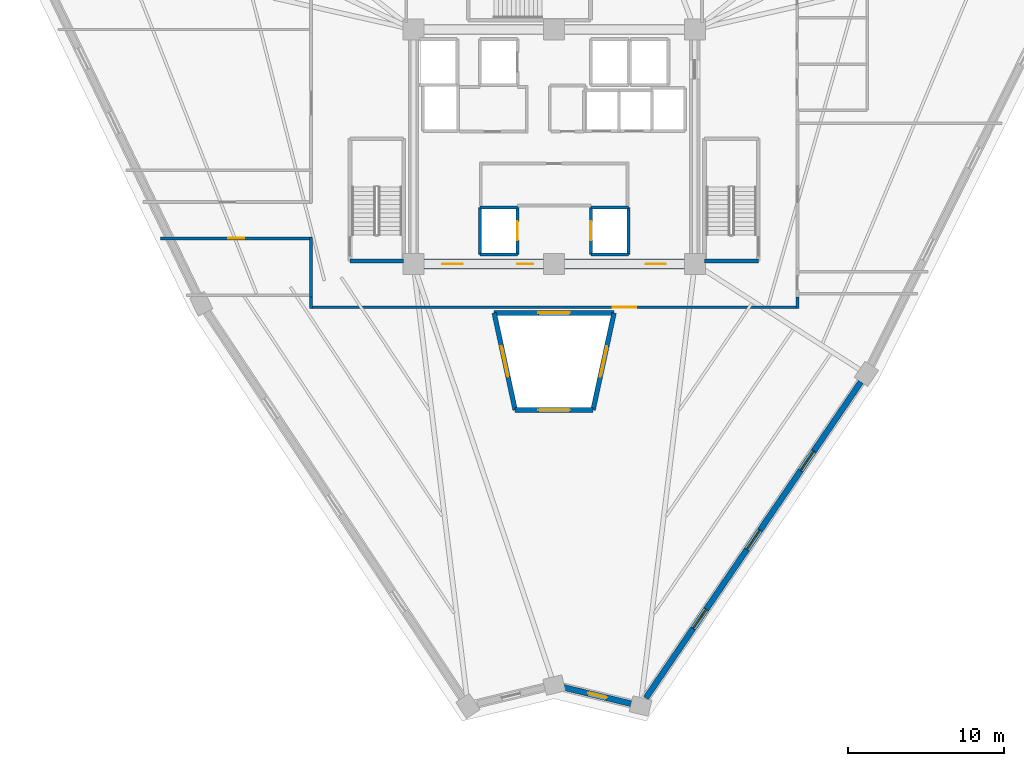
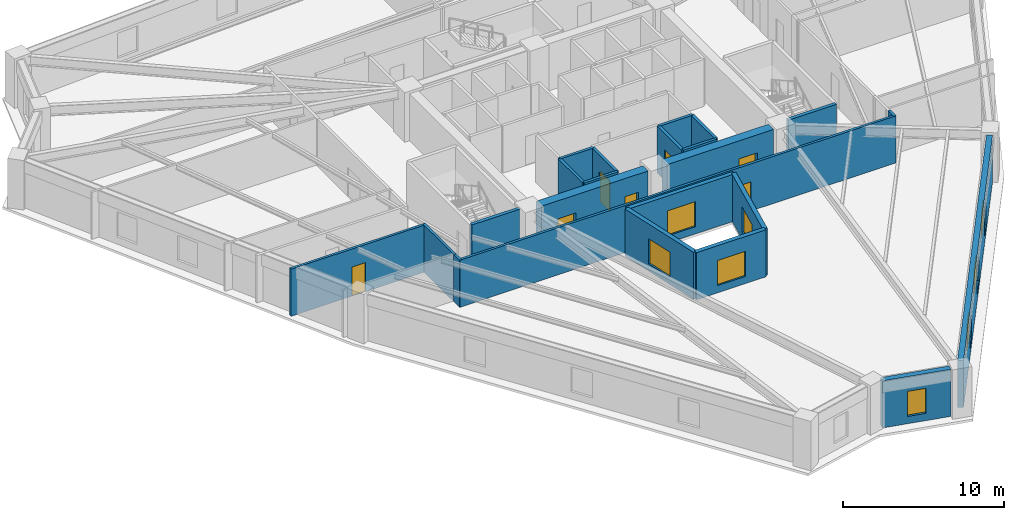
# One storey, part 3 of 8: 23 walls, 8 windows, 7 doors, 15 openings.
"""IFC4 building model written with IfcOpenShell, lengths in metres."""

from ifc_helpers import new_model, si_unit, direction, frame, frame_2d, origin, place, context, subcontext, project, spatial, rectangle, extrude, source, transform, mapped, material, layer, layer_set, type_object, element, fill, save


model = new_model("IFC4")

# Units and contexts
model_context = context("Model", 3, precision=1e-05, world=origin(), true_north=direction((0.0, 1.0)))
body_context = subcontext(model_context, "Body", "Model", "MODEL_VIEW")
ifc_project = project(units=[si_unit("LENGTHUNIT", "METRE"), si_unit("AREAUNIT", "SQUARE_METRE"), si_unit("VOLUMEUNIT", "CUBIC_METRE"), si_unit("PLANEANGLEUNIT", "RADIAN"), si_unit("MASSUNIT", "GRAM", prefix="KILO")], contexts=[model_context])

# Site, building, storey
site_placement = place(None, origin())
site = spatial("IfcSite", under=ifc_project, at=site_placement, CompositionType="ELEMENT")
building_placement = place(site_placement, origin())
building = spatial("IfcBuilding", under=site, at=building_placement, Name="Liaohun Quay Tower", CompositionType="ELEMENT")
storey_placement = place(building_placement, frame((0.0, 0.0, 205.5)))
storey = spatial("IfcBuildingStorey", under=building, at=storey_placement, Name="L53", CompositionType="ELEMENT", Elevation=205.5)

# Wall, opening, window
ifc_material_1 = material(Name="Concrete C50", Category="concrete")
ifc_layer_1 = layer(ifc_material_1, 0.300048828125, Name="Concrete C50", Category="concrete")
ifc_layer_set_1 = layer_set([ifc_layer_1], Name="Concrete C50")
wall_type_1 = type_object("IfcWallType", Name="WAL-ATR-300", PredefinedType="SOLIDWALL", material=ifc_layer_set_1)
wall_1_placement = place(storey_placement, frame((57.507080078125, 37.162109375, 0.0), z_axis=(0.0, 0.0, 1.0), x_axis=(-0.211444938644, 0.977389910896, 0.0)))
wall_1 = element("IfcWall", 1, at=wall_1_placement, inside=storey, type_object=wall_type_1, Name="L53 Atrium Fire Compartment Wall 1", PredefinedType="SOLIDWALL", context=body_context, shape_type="SweptSolid", body=[
    extrude(rectangle(XDim=6.3515625, YDim=0.300048828125, at=frame_2d((3.17578125, 0.0))), origin(), (0.0, 0.0, 1.0), 3.570068359375),
])
shared_shape_1 = source(origin(), body_context, "Body", "SweptSolid", [
    extrude(rectangle(XDim=2.0, YDim=1.89990234375, at=frame_2d((1.0, 0.949951171875))), frame((0.0, 0.159912109375, 0.0), z_axis=(0.0, -1.0, 0.0), x_axis=(1.0, 0.0, 0.0)), (0.0, 0.0, 1.0), 0.320068359375),
])
opening_1_placement = place(wall_1_placement, frame((2.176025390625, 0.0, 0.550048828125)))
opening_1 = element("IfcOpeningElement", 2, at=opening_1_placement, cuts=wall_1, Name="Opening W07", PredefinedType="OPENING", context=body_context, shape_type="MappedRepresentation", body=[
    mapped(shared_shape_1, transform((0.0, 0.0, 0.0), x_axis=(1.0, 0.0, 0.0), y_axis=(0.0, 1.0, 0.0), z_axis=(0.0, 0.0, 1.0), scale=1.0)),
])
ifc_material_2 = material(Name="Class A 180-min fire-resistant insulated glazing", Category="glass")
window_type_1 = type_object("IfcWindowType", Name="WIN-ATR-FIR", PartitioningType="DOUBLE_PANEL_VERTICAL", PredefinedType="WINDOW", material=ifc_material_2)
shared_shape_2 = source(origin(), body_context, "Body", "SweptSolid", [
    extrude(rectangle(XDim=2.0, YDim=1.89990234375, at=frame_2d((1.0, 0.949951171875))), frame((0.0, 0.030029296875, 0.0), z_axis=(0.0, -1.0, 0.0), x_axis=(1.0, 0.0, 0.0)), (0.0, 0.0, 1.0), 0.06005859375),
])
window_1_placement = place(opening_1_placement, origin())
window_1 = element("IfcWindow", 3, at=window_1_placement, inside=storey, type_object=window_type_1, Name="L53 Atrium Fire-Resistant Glazing W07-1", OverallHeight=1.89990234375, OverallWidth=2.0, PartitioningType="DOUBLE_PANEL_VERTICAL", PredefinedType="WINDOW", context=body_context, shape_type="MappedRepresentation", body=[
    mapped(shared_shape_2, transform((0.0, 0.0, 0.0), x_axis=(1.0, 0.0, 0.0), y_axis=(0.0, 1.0, 0.0), z_axis=(0.0, 0.0, 1.0), scale=1.0)),
])
fill(opening_1, window_1)

wall_2_placement = place(storey_placement, frame((56.1640625, 43.3701171875, 0.0), z_axis=(0.0, 0.0, 1.0), x_axis=(1.0, 0.0, 0.0)))
wall_2 = element("IfcWall", 4, at=wall_2_placement, inside=storey, type_object=wall_type_1, Name="L53 Atrium Fire Compartment Wall 2", PredefinedType="SOLIDWALL", context=body_context, shape_type="SweptSolid", body=[
    extrude(rectangle(XDim=7.671875, YDim=0.300048828125, at=frame_2d((3.8359375, 0.0))), origin(), (0.0, 0.0, 1.0), 3.570068359375),
])
opening_2_placement = place(wall_2_placement, frame((2.8359375, 0.0, 0.550048828125)))
opening_2 = element("IfcOpeningElement", 5, at=opening_2_placement, cuts=wall_2, Name="Opening W07", PredefinedType="OPENING", context=body_context, shape_type="MappedRepresentation", body=[
    mapped(shared_shape_1, transform((0.0, 0.0, 0.0), x_axis=(1.0, 0.0, 0.0), y_axis=(0.0, 1.0, 0.0), z_axis=(0.0, 0.0, 1.0), scale=1.0)),
])
window_2_placement = place(opening_2_placement, origin())
window_2 = element("IfcWindow", 6, at=window_2_placement, inside=storey, type_object=window_type_1, Name="L53 Atrium Fire-Resistant Glazing W07-2", OverallHeight=1.89990234375, OverallWidth=2.0, PartitioningType="DOUBLE_PANEL_VERTICAL", PredefinedType="WINDOW", context=body_context, shape_type="MappedRepresentation", body=[
    mapped(shared_shape_2, transform((0.0, 0.0, 0.0), x_axis=(1.0, 0.0, 0.0), y_axis=(0.0, 1.0, 0.0), z_axis=(0.0, 0.0, 1.0), scale=1.0)),
])
fill(opening_2, window_2)

wall_3_placement = place(storey_placement, frame((63.8359375, 43.3701171875, 0.0), z_axis=(0.0, 0.0, 1.0), x_axis=(-0.211444938644, -0.977389910896, 0.0)))
wall_3 = element("IfcWall", 7, at=wall_3_placement, inside=storey, type_object=wall_type_1, Name="L53 Atrium Fire Compartment Wall 3", PredefinedType="SOLIDWALL", context=body_context, shape_type="SweptSolid", body=[
    extrude(rectangle(XDim=6.3515625, YDim=0.300048828125, at=frame_2d((3.17578125, 0.0))), origin(), (0.0, 0.0, 1.0), 3.570068359375),
])
opening_3_placement = place(wall_3_placement, frame((2.176025390625, 0.0, 0.550048828125)))
opening_3 = element("IfcOpeningElement", 8, at=opening_3_placement, cuts=wall_3, Name="Opening W07", PredefinedType="OPENING", context=body_context, shape_type="MappedRepresentation", body=[
    mapped(shared_shape_1, transform((0.0, 0.0, 0.0), x_axis=(1.0, 0.0, 0.0), y_axis=(0.0, 1.0, 0.0), z_axis=(0.0, 0.0, 1.0), scale=1.0)),
])
window_3_placement = place(opening_3_placement, origin())
window_3 = element("IfcWindow", 9, at=window_3_placement, inside=storey, type_object=window_type_1, Name="L53 Atrium Fire-Resistant Glazing W07-3", OverallHeight=1.89990234375, OverallWidth=2.0, PartitioningType="DOUBLE_PANEL_VERTICAL", PredefinedType="WINDOW", context=body_context, shape_type="MappedRepresentation", body=[
    mapped(shared_shape_2, transform((0.0, 0.0, 0.0), x_axis=(1.0, 0.0, 0.0), y_axis=(0.0, 1.0, 0.0), z_axis=(0.0, 0.0, 1.0), scale=1.0)),
])
fill(opening_3, window_3)

wall_4_placement = place(storey_placement, frame((62.492919921875, 37.162109375, 0.0), z_axis=(0.0, 0.0, 1.0), x_axis=(-1.0, 0.0, 0.0)))
wall_4 = element("IfcWall", 10, at=wall_4_placement, inside=storey, type_object=wall_type_1, Name="L53 Atrium Fire Compartment Wall 4", PredefinedType="SOLIDWALL", context=body_context, shape_type="SweptSolid", body=[
    extrude(rectangle(XDim=4.98583984375, YDim=0.300048828125, at=frame_2d((2.492919921875, 0.0))), origin(), (0.0, 0.0, 1.0), 3.570068359375),
])
opening_4_placement = place(wall_4_placement, frame((1.492919921875, 0.0, 0.550048828125)))
opening_4 = element("IfcOpeningElement", 11, at=opening_4_placement, cuts=wall_4, Name="Opening W07", PredefinedType="OPENING", context=body_context, shape_type="MappedRepresentation", body=[
    mapped(shared_shape_1, transform((0.0, 0.0, 0.0), x_axis=(1.0, 0.0, 0.0), y_axis=(0.0, 1.0, 0.0), z_axis=(0.0, 0.0, 1.0), scale=1.0)),
])
window_4_placement = place(opening_4_placement, origin())
window_4 = element("IfcWindow", 12, at=window_4_placement, inside=storey, type_object=window_type_1, Name="L53 Atrium Fire-Resistant Glazing W07-4", OverallHeight=1.89990234375, OverallWidth=2.0, PartitioningType="DOUBLE_PANEL_VERTICAL", PredefinedType="WINDOW", context=body_context, shape_type="MappedRepresentation", body=[
    mapped(shared_shape_2, transform((0.0, 0.0, 0.0), x_axis=(1.0, 0.0, 0.0), y_axis=(0.0, 1.0, 0.0), z_axis=(0.0, 0.0, 1.0), scale=1.0)),
])
fill(opening_4, window_4)

# Wall, opening, door
ifc_material_3 = material(Name="Concrete C55", Category="concrete")
ifc_layer_2 = layer(ifc_material_3, 0.64990234375, Name="Concrete C55", Category="concrete")
ifc_layer_set_2 = layer_set([ifc_layer_2], Name="Concrete C55")
wall_type_2 = type_object("IfcWallType", Name="WAL-COR-Z3", PredefinedType="SHEAR", material=ifc_layer_set_2)
wall_5_placement = place(storey_placement, frame((68.324951171875, 46.5, 0.0), z_axis=(0.0, 0.0, 1.0), x_axis=(-1.0, 0.0, 0.0)))
wall_5 = element("IfcWall", 13, at=wall_5_placement, inside=storey, type_object=wall_type_2, Name="L53 Central Core Shear Wall S-E", PredefinedType="SHEAR", context=body_context, shape_type="SweptSolid", body=[
    extrude(rectangle(XDim=7.64990234375, YDim=0.64990234375, at=frame_2d((3.824951171875, 0.0))), origin(), (0.0, 0.0, 1.0), 3.570068359375),
])
shared_shape_3 = source(origin(), body_context, "Body", "SweptSolid", [
    extrude(rectangle(XDim=1.300048828125, YDim=2.199951171875, at=frame_2d((0.64990234375, 1.10009765625))), frame((0.0, 0.3349609375, 0.0), z_axis=(0.0, -1.0, 0.0), x_axis=(1.0, 0.0, 0.0)), (0.0, 0.0, 1.0), 0.669921875),
])
opening_5_placement = place(wall_5_placement, frame((1.175048828125, 0.0, 0.0)))
opening_5 = element("IfcOpeningElement", 14, at=opening_5_placement, cuts=wall_5, Name="Opening FD1", PredefinedType="OPENING", context=body_context, shape_type="MappedRepresentation", body=[
    mapped(shared_shape_3, transform((0.0, 0.0, 0.0), x_axis=(1.0, 0.0, 0.0), y_axis=(0.0, 1.0, 0.0), z_axis=(0.0, 0.0, 1.0), scale=1.0)),
])
ifc_material_4 = material(Name="Galvanised steel smokeproof fire door", Category="steel")
door_type_1 = type_object("IfcDoorType", Name="DOR-FFL-1300", OperationType="NOTDEFINED", PredefinedType="DOOR", material=ifc_material_4)
shared_shape_4 = source(origin(), body_context, "Body", "SweptSolid", [
    extrude(rectangle(XDim=1.300048828125, YDim=2.199951171875, at=frame_2d((0.64990234375, 1.10009765625))), frame((0.0, 0.02490234375, 0.0), z_axis=(0.0, -1.0, 0.0), x_axis=(1.0, 0.0, 0.0)), (0.0, 0.0, 1.0), 0.050048828125),
])
door_1_placement = place(opening_5_placement, origin())
door_1 = element("IfcDoor", 15, at=door_1_placement, inside=storey, type_object=door_type_1, Name="L53 East Core Lift Lobby Smokeproof Door", OperationType="SINGLE_SWING_LEFT", OverallHeight=2.199951171875, OverallWidth=1.300048828125, PredefinedType="DOOR", context=body_context, shape_type="MappedRepresentation", body=[
    mapped(shared_shape_4, transform((0.0, 0.0, 0.0), x_axis=(1.0, 0.0, 0.0), y_axis=(0.0, 1.0, 0.0), z_axis=(0.0, 0.0, 1.0), scale=1.0)),
])
fill(opening_5, door_1)

# Wall, openings, doors
wall_6_placement = place(storey_placement, frame((59.324951171875, 46.5, 0.0), z_axis=(0.0, 0.0, 1.0), x_axis=(-1.0, 0.0, 0.0)))
wall_6 = element("IfcWall", 16, at=wall_6_placement, inside=storey, type_object=wall_type_2, Name="L53 Central Core Shear Wall S-W", PredefinedType="SHEAR", context=body_context, shape_type="SweptSolid", body=[
    extrude(rectangle(XDim=7.64990234375, YDim=0.64990234375, at=frame_2d((3.824951171875, 0.0))), origin(), (0.0, 0.0, 1.0), 3.570068359375),
])
opening_6_placement = place(wall_6_placement, frame((5.175048828125, 0.0, 0.0)))
opening_6 = element("IfcOpeningElement", 17, at=opening_6_placement, cuts=wall_6, Name="Opening FD1", PredefinedType="OPENING", context=body_context, shape_type="MappedRepresentation", body=[
    mapped(shared_shape_3, transform((0.0, 0.0, 0.0), x_axis=(1.0, 0.0, 0.0), y_axis=(0.0, 1.0, 0.0), z_axis=(0.0, 0.0, 1.0), scale=1.0)),
])
shared_shape_5 = source(origin(), body_context, "Body", "SweptSolid", [
    extrude(rectangle(XDim=1.0, YDim=2.199951171875, at=frame_2d((0.5, 1.10009765625))), frame((0.0, 0.3349609375, 0.0), z_axis=(0.0, -1.0, 0.0), x_axis=(1.0, 0.0, 0.0)), (0.0, 0.0, 1.0), 0.669921875),
])
opening_7_placement = place(wall_6_placement, frame((0.675048828125, 0.0, 0.0)))
opening_7 = element("IfcOpeningElement", 18, at=opening_7_placement, cuts=wall_6, Name="Opening FD2", PredefinedType="OPENING", context=body_context, shape_type="MappedRepresentation", body=[
    mapped(shared_shape_5, transform((0.0, 0.0, 0.0), x_axis=(1.0, 0.0, 0.0), y_axis=(0.0, 1.0, 0.0), z_axis=(0.0, 0.0, 1.0), scale=1.0)),
])
door_2_placement = place(opening_6_placement, origin())
door_2 = element("IfcDoor", 19, at=door_2_placement, inside=storey, type_object=door_type_1, Name="L53 West Core Lift Lobby Smokeproof Door", OperationType="SINGLE_SWING_RIGHT", OverallHeight=2.199951171875, OverallWidth=1.300048828125, PredefinedType="DOOR", context=body_context, shape_type="MappedRepresentation", body=[
    mapped(shared_shape_4, transform((0.0, 0.0, 0.0), x_axis=(1.0, 0.0, 0.0), y_axis=(0.0, 1.0, 0.0), z_axis=(0.0, 0.0, 1.0), scale=1.0)),
])
fill(opening_6, door_2)
ifc_material_5 = material(Name="Galvanised steel smokeproof lobby fire door", Category="steel")
door_type_2 = type_object("IfcDoorType", Name="DOR-FFL-1000", OperationType="NOTDEFINED", PredefinedType="DOOR", material=ifc_material_5)
shared_shape_6 = source(origin(), body_context, "Body", "SweptSolid", [
    extrude(rectangle(XDim=1.0, YDim=2.199951171875, at=frame_2d((0.5, 1.10009765625))), frame((0.0, 0.02490234375, 0.0), z_axis=(0.0, -1.0, 0.0), x_axis=(1.0, 0.0, 0.0)), (0.0, 0.0, 1.0), 0.050048828125),
])
door_3_placement = place(opening_7_placement, origin())
door_3 = element("IfcDoor", 20, at=door_3_placement, inside=storey, type_object=door_type_2, Name="L53 South Firefighting Lobby Smokeproof Door", OperationType="SINGLE_SWING_LEFT", OverallHeight=2.199951171875, OverallWidth=1.0, PredefinedType="DOOR", context=body_context, shape_type="MappedRepresentation", body=[
    mapped(shared_shape_6, transform((0.0, 0.0, 0.0), x_axis=(1.0, 0.0, 0.0), y_axis=(0.0, 1.0, 0.0), z_axis=(0.0, 0.0, 1.0), scale=1.0)),
])
fill(opening_7, door_3)

# Wall, opening, window
ifc_material_6 = material(Name="Precast concrete C50 insulated sandwich", Category="concrete")
ifc_layer_3 = layer(ifc_material_6, 0.3798828125, Name="Precast concrete C50 insulated sandwich", Category="concrete")
ifc_layer_set_3 = layer_set([ifc_layer_3], Name="Precast concrete C50 insulated sandwich")
wall_type_3 = type_object("IfcWallType", Name="WAL-EXT-Z34", PredefinedType="SOLIDWALL", material=ifc_layer_set_3)
wall_7_placement = place(storey_placement, frame((60.597900390625, 19.41796875, 0.0), z_axis=(0.0, 0.0, 1.0), x_axis=(0.97200969757, -0.234940732588, 0.0)))
wall_7 = element("IfcWall", 21, at=wall_7_placement, inside=storey, type_object=wall_type_3, Name="L53 Brutalist Precast Pier Wall 01", PredefinedType="SOLIDWALL", context=body_context, shape_type="SweptSolid", body=[
    extrude(rectangle(XDim=4.45166015625, YDim=0.3798828125, at=frame_2d((2.225830078125, 0.0))), origin(), (0.0, 0.0, 1.0), 3.570068359375),
])
shared_shape_7 = source(origin(), body_context, "Body", "SweptSolid", [
    extrude(rectangle(XDim=1.199951171875, YDim=1.89990234375, at=frame_2d((0.60009765625, 0.949951171875))), frame((0.0, 0.199951171875, 0.0), z_axis=(0.0, -1.0, 0.0), x_axis=(1.0, 0.0, 0.0)), (0.0, 0.0, 1.0), 0.39990234375),
])
opening_8_placement = place(wall_7_placement, frame((1.6259765625, 0.0, 0.550048828125)))
opening_8 = element("IfcOpeningElement", 22, at=opening_8_placement, cuts=wall_7, Name="Opening W05", PredefinedType="OPENING", context=body_context, shape_type="MappedRepresentation", body=[
    mapped(shared_shape_7, transform((0.0, 0.0, 0.0), x_axis=(1.0, 0.0, 0.0), y_axis=(0.0, 1.0, 0.0), z_axis=(0.0, 0.0, 1.0), scale=1.0)),
])
ifc_material_7 = material(Name="Triple Low-E corner notch glazing", Category="glass")
window_type_2 = type_object("IfcWindowType", Name="WIN-NOTCH", PartitioningType="SINGLE_PANEL", PredefinedType="WINDOW", material=ifc_material_7)
shared_shape_8 = source(origin(), body_context, "Body", "SweptSolid", [
    extrude(rectangle(XDim=1.199951171875, YDim=1.89990234375, at=frame_2d((0.60009765625, 0.949951171875))), frame((0.0, 0.030029296875, 0.0), z_axis=(0.0, -1.0, 0.0), x_axis=(1.0, 0.0, 0.0)), (0.0, 0.0, 1.0), 0.06005859375),
])
window_5_placement = place(opening_8_placement, origin())
window_5 = element("IfcWindow", 23, at=window_5_placement, inside=storey, type_object=window_type_2, Name="L53 Corner Notch Window W05-01", OverallHeight=1.89990234375, OverallWidth=1.199951171875, PartitioningType="SINGLE_PANEL", PredefinedType="WINDOW", context=body_context, shape_type="MappedRepresentation", body=[
    mapped(shared_shape_8, transform((0.0, 0.0, 0.0), x_axis=(1.0, 0.0, 0.0), y_axis=(0.0, 1.0, 0.0), z_axis=(0.0, 0.0, 1.0), scale=1.0)),
])
fill(opening_8, window_5)

# Wall, openings, windows
wall_8_placement = place(storey_placement, frame((65.868896484375, 18.736083984375, 0.0), z_axis=(0.0, 0.0, 1.0), x_axis=(0.562429840658, 0.826845012283, 0.0)))
wall_8 = element("IfcWall", 24, at=wall_8_placement, inside=storey, type_object=wall_type_3, Name="L53 Brutalist Precast Pier Wall 02", PredefinedType="SOLIDWALL", context=body_context, shape_type="SweptSolid", body=[
    extrude(rectangle(XDim=24.46533203125, YDim=0.3798828125, at=frame_2d((12.232666015625, 0.0))), origin(), (0.0, 0.0, 1.0), 3.570068359375),
])
shared_shape_9 = source(origin(), body_context, "Body", "SweptSolid", [
    extrude(rectangle(XDim=1.5, YDim=1.89990234375, at=frame_2d((0.75, 0.949951171875))), frame((0.0, 0.199951171875, 0.0), z_axis=(0.0, -1.0, 0.0), x_axis=(1.0, 0.0, 0.0)), (0.0, 0.0, 1.0), 0.39990234375),
])
opening_9_placement = place(wall_8_placement, frame((5.365966796875, 0.0, 0.550048828125)))
opening_9 = element("IfcOpeningElement", 25, at=opening_9_placement, cuts=wall_8, Name="Opening W03", PredefinedType="OPENING", context=body_context, shape_type="MappedRepresentation", body=[
    mapped(shared_shape_9, transform((0.0, 0.0, 0.0), x_axis=(1.0, 0.0, 0.0), y_axis=(0.0, 1.0, 0.0), z_axis=(0.0, 0.0, 1.0), scale=1.0)),
])
opening_10_placement = place(wall_8_placement, frame((11.48291015625, 0.0, 0.550048828125)))
opening_10 = element("IfcOpeningElement", 26, at=opening_10_placement, cuts=wall_8, Name="Opening W03", PredefinedType="OPENING", context=body_context, shape_type="MappedRepresentation", body=[
    mapped(shared_shape_9, transform((0.0, 0.0, 0.0), x_axis=(1.0, 0.0, 0.0), y_axis=(0.0, 1.0, 0.0), z_axis=(0.0, 0.0, 1.0), scale=1.0)),
])
opening_11_placement = place(wall_8_placement, frame((17.59912109375, 0.0, 0.550048828125)))
opening_11 = element("IfcOpeningElement", 27, at=opening_11_placement, cuts=wall_8, Name="Opening W03", PredefinedType="OPENING", context=body_context, shape_type="MappedRepresentation", body=[
    mapped(shared_shape_9, transform((0.0, 0.0, 0.0), x_axis=(1.0, 0.0, 0.0), y_axis=(0.0, 1.0, 0.0), z_axis=(0.0, 0.0, 1.0), scale=1.0)),
])
ifc_material_8 = material(Name="Triple Low-E argon glazing in thermally broken aluminium", Category="aluminium")
window_type_3 = type_object("IfcWindowType", Name="WIN-PUN-Z3", PartitioningType="DOUBLE_PANEL_VERTICAL", PredefinedType="WINDOW", material=ifc_material_8)
shared_shape_10 = source(origin(), body_context, "Body", "SweptSolid", [
    extrude(rectangle(XDim=1.5, YDim=1.89990234375, at=frame_2d((0.75, 0.949951171875))), frame((0.0, 0.030029296875, 0.0), z_axis=(0.0, -1.0, 0.0), x_axis=(1.0, 0.0, 0.0)), (0.0, 0.0, 1.0), 0.06005859375),
])
window_6_placement = place(opening_9_placement, origin())
window_6 = element("IfcWindow", 28, at=window_6_placement, inside=storey, type_object=window_type_3, Name="L53 Recessed Cold-Climate Punched Window 02-1", OverallHeight=1.89990234375, OverallWidth=1.5, PartitioningType="DOUBLE_PANEL_VERTICAL", PredefinedType="WINDOW", context=body_context, shape_type="MappedRepresentation", body=[
    mapped(shared_shape_10, transform((0.0, 0.0, 0.0), x_axis=(1.0, 0.0, 0.0), y_axis=(0.0, 1.0, 0.0), z_axis=(0.0, 0.0, 1.0), scale=1.0)),
])
fill(opening_9, window_6)
window_7_placement = place(opening_10_placement, origin())
window_7 = element("IfcWindow", 29, at=window_7_placement, inside=storey, type_object=window_type_3, Name="L53 Recessed Cold-Climate Punched Window 02-2", OverallHeight=1.89990234375, OverallWidth=1.5, PartitioningType="DOUBLE_PANEL_VERTICAL", PredefinedType="WINDOW", context=body_context, shape_type="MappedRepresentation", body=[
    mapped(shared_shape_10, transform((0.0, 0.0, 0.0), x_axis=(1.0, 0.0, 0.0), y_axis=(0.0, 1.0, 0.0), z_axis=(0.0, 0.0, 1.0), scale=1.0)),
])
fill(opening_10, window_7)
window_8_placement = place(opening_11_placement, origin())
window_8 = element("IfcWindow", 30, at=window_8_placement, inside=storey, type_object=window_type_3, Name="L53 Recessed Cold-Climate Punched Window 02-3", OverallHeight=1.89990234375, OverallWidth=1.5, PartitioningType="DOUBLE_PANEL_VERTICAL", PredefinedType="WINDOW", context=body_context, shape_type="MappedRepresentation", body=[
    mapped(shared_shape_10, transform((0.0, 0.0, 0.0), x_axis=(1.0, 0.0, 0.0), y_axis=(0.0, 1.0, 0.0), z_axis=(0.0, 0.0, 1.0), scale=1.0)),
])
fill(opening_11, window_8)

# Wall, opening, door
ifc_material_9 = material(Name="Autoclaved aerated concrete blockwork", Category="masonry")
ifc_layer_4 = layer(ifc_material_9, 0.179931640625, Name="Autoclaved aerated concrete blockwork", Category="masonry")
ifc_layer_set_4 = layer_set([ifc_layer_4], Name="Autoclaved aerated concrete blockwork")
wall_type_4 = type_object("IfcWallType", Name="WAL-PRT-COR", PredefinedType="PARTITIONING", material=ifc_layer_set_4)
wall_9_placement = place(storey_placement, frame((44.510009765625, 48.139892578125, 0.0), z_axis=(0.0, 0.0, 1.0), x_axis=(-1.0, 0.0, 0.0)))
wall_9 = element("IfcWall", 31, at=wall_9_placement, inside=storey, type_object=wall_type_4, Name="L53 Interior Partition Wall 019", PredefinedType="PARTITIONING", context=body_context, shape_type="SweptSolid", body=[
    extrude(rectangle(XDim=9.68603515625, YDim=0.179931640625, at=frame_2d((4.843017578125, 0.0))), origin(), (0.0, 0.0, 1.0), 3.570068359375),
])
shared_shape_11 = source(origin(), body_context, "Body", "SweptSolid", [
    extrude(rectangle(XDim=1.0, YDim=2.199951171875, at=frame_2d((0.5, 1.10009765625))), frame((0.0, 0.099853515625, 0.0), z_axis=(0.0, -1.0, 0.0), x_axis=(1.0, 0.0, 0.0)), (0.0, 0.0, 1.0), 0.199951171875),
])
opening_12_placement = place(wall_9_placement, frame((4.343017578125, 0.0, 0.0)))
opening_12 = element("IfcOpeningElement", 32, at=opening_12_placement, cuts=wall_9, Name="Opening OD1", PredefinedType="OPENING", context=body_context, shape_type="MappedRepresentation", body=[
    mapped(shared_shape_11, transform((0.0, 0.0, 0.0), x_axis=(1.0, 0.0, 0.0), y_axis=(0.0, 1.0, 0.0), z_axis=(0.0, 0.0, 1.0), scale=1.0)),
])
ifc_material_10 = material(Name="Solid-core oak veneer timber leaf in steel frame", Category="steel")
door_type_3 = type_object("IfcDoorType", Name="DOR-OFF-1000", OperationType="NOTDEFINED", PredefinedType="DOOR", material=ifc_material_10)
door_4_placement = place(opening_12_placement, origin())
door_4 = element("IfcDoor", 33, at=door_4_placement, inside=storey, type_object=door_type_3, Name="L53 Records Archive Store 09 Door", OperationType="SINGLE_SWING_RIGHT", OverallHeight=2.199951171875, OverallWidth=1.0, PredefinedType="DOOR", context=body_context, shape_type="MappedRepresentation", body=[
    mapped(shared_shape_6, transform((0.0, 0.0, 0.0), x_axis=(1.0, 0.0, 0.0), y_axis=(0.0, 1.0, 0.0), z_axis=(0.0, 0.0, 1.0), scale=1.0)),
])
fill(opening_12, door_4)

wall_10_placement = place(storey_placement, frame((75.6298828125, 43.739990234375, 0.0), z_axis=(0.0, 0.0, 1.0), x_axis=(-1.0, 0.0, 0.0)))
wall_10 = element("IfcWall", 34, at=wall_10_placement, inside=storey, type_object=wall_type_4, Name="L53 Interior Partition Wall 020", PredefinedType="PARTITIONING", context=body_context, shape_type="SweptSolid", body=[
    extrude(rectangle(XDim=31.259765625, YDim=0.179931640625, at=frame_2d((15.6298828125, 0.0))), origin(), (0.0, 0.0, 1.0), 3.570068359375),
])
shared_shape_12 = source(origin(), body_context, "Body", "SweptSolid", [
    extrude(rectangle(XDim=1.5, YDim=2.199951171875, at=frame_2d((0.75, 1.10009765625))), frame((0.0, 0.099853515625, 0.0), z_axis=(0.0, -1.0, 0.0), x_axis=(1.0, 0.0, 0.0)), (0.0, 0.0, 1.0), 0.199951171875),
])
opening_13_placement = place(wall_10_placement, frame((10.3798828125, 0.0, 0.0)))
opening_13 = element("IfcOpeningElement", 35, at=opening_13_placement, cuts=wall_10, Name="Opening OD2", PredefinedType="OPENING", context=body_context, shape_type="MappedRepresentation", body=[
    mapped(shared_shape_12, transform((0.0, 0.0, 0.0), x_axis=(1.0, 0.0, 0.0), y_axis=(0.0, 1.0, 0.0), z_axis=(0.0, 0.0, 1.0), scale=1.0)),
])
ifc_material_11 = material(Name="Acoustic oak veneer double door")
door_type_4 = type_object("IfcDoorType", Name="DOR-OFF-1500", OperationType="DOUBLE_DOOR_SINGLE_SWING", PredefinedType="DOOR", material=ifc_material_11)
shared_shape_13 = source(origin(), body_context, "Body", "SweptSolid", [
    extrude(rectangle(XDim=1.5, YDim=2.199951171875, at=frame_2d((0.75, 1.10009765625))), frame((0.0, 0.02490234375, 0.0), z_axis=(0.0, -1.0, 0.0), x_axis=(1.0, 0.0, 0.0)), (0.0, 0.0, 1.0), 0.050048828125),
])
door_5_placement = place(opening_13_placement, origin())
door_5 = element("IfcDoor", 36, at=door_5_placement, inside=storey, type_object=door_type_4, Name="L53 Open-Plan Office Workplace 10 Door", OperationType="DOUBLE_DOOR_SINGLE_SWING", OverallHeight=2.199951171875, OverallWidth=1.5, PredefinedType="DOOR", context=body_context, shape_type="MappedRepresentation", body=[
    mapped(shared_shape_13, transform((0.0, 0.0, 0.0), x_axis=(1.0, 0.0, 0.0), y_axis=(0.0, 1.0, 0.0), z_axis=(0.0, 0.0, 1.0), scale=1.0)),
])
fill(opening_13, door_5)

# Walls
wall_11_placement = place(storey_placement, frame((44.43994140625, 44.385009765625, 0.0), z_axis=(0.0, 0.0, 1.0), x_axis=(0.0, 1.0, 0.0)))
element("IfcWall", 37, at=wall_11_placement, inside=storey, type_object=wall_type_4, Name="L53 Interior Partition Wall 039", PredefinedType="PARTITIONING", context=body_context, shape_type="SweptSolid", body=[
    extrude(rectangle(XDim=3.824951171875, YDim=0.179931640625, at=frame_2d((1.91259765625, 0.0))), origin(), (0.0, 0.0, 1.0), 3.570068359375),
])
for number, where, z_axis, x_axis, name in (
    (38, (75.56005859375, 44.385009765625, 0.0), (0.0, 0.0, 1.0), (0.0, -1.0, 0.0), "L53 Interior Partition Wall 040"),
    (39, (44.43994140625, 43.669921875, 0.0), (0.0, 0.0, 1.0), (0.0, 1.0, 0.0), "L53 Interior Partition Wall 041"),
):
    element("IfcWall", number, at=place(storey_placement, frame(where, z_axis=z_axis, x_axis=x_axis)), inside=storey, type_object=wall_type_4, Name=name, PredefinedType="PARTITIONING", context=body_context, shape_type="SweptSolid", body=[
        extrude(rectangle(XDim=0.715087890625, YDim=0.179931640625, at=frame_2d((0.357421875, 0.0))), origin(), (0.0, 0.0, 1.0), 3.570068359375),
    ])
ifc_layer_5 = layer(ifc_material_1, 0.239990234375, Name="Concrete C50", Category="concrete")
ifc_layer_set_5 = layer_set([ifc_layer_5], Name="Concrete C50")
wall_type_5 = type_object("IfcWallType", Name="WAL-SHF-200", PredefinedType="SOLIDWALL", material=ifc_layer_set_5)
for number, where, z_axis, x_axis, name in (
    (40, (46.93994140625, 46.699951171875, 0.0), (0.0, 0.0, 1.0), (1.0, 0.0, 0.0), "L53 Stairwell ST-1 Structural Core Wall S"),
    (41, (69.6201171875, 46.699951171875, 0.0), (0.0, 0.0, 1.0), (1.0, 0.0, 0.0), "L53 Stairwell ST-2 Structural Core Wall S"),
):
    element("IfcWall", number, at=place(storey_placement, frame(where, z_axis=z_axis, x_axis=x_axis)), inside=storey, type_object=wall_type_5, Name=name, PredefinedType="SOLIDWALL", context=body_context, shape_type="SweptSolid", body=[
        extrude(rectangle(XDim=3.43994140625, YDim=0.239990234375, at=frame_2d((1.719970703125, 0.0))), origin(), (0.0, 0.0, 1.0), 3.570068359375),
    ])
wall_12_placement = place(storey_placement, frame((55.25, 47.1201171875, 0.0), z_axis=(0.0, 0.0, 1.0), x_axis=(1.0, 0.0, 0.0)))
element("IfcWall", 42, at=wall_12_placement, inside=storey, type_object=wall_type_5, Name="L53 Lift FF-01 Hoistway Wall S", PredefinedType="SOLIDWALL", context=body_context, shape_type="SweptSolid", body=[
    extrude(rectangle(XDim=2.39990234375, YDim=0.199951171875, at=frame_2d((1.199951171875, 0.0))), origin(), (0.0, 0.0, 1.0), 3.570068359375),
])

# Wall, opening, door
wall_13_placement = place(storey_placement, frame((57.64990234375, 47.1201171875, 0.0), z_axis=(0.0, 0.0, 1.0), x_axis=(0.0, 1.0, 0.0)))
wall_13 = element("IfcWall", 43, at=wall_13_placement, inside=storey, type_object=wall_type_5, Name="L53 Lift FF-01 Hoistway Wall E", PredefinedType="SOLIDWALL", context=body_context, shape_type="SweptSolid", body=[
    extrude(rectangle(XDim=3.0, YDim=0.199951171875, at=frame_2d((1.5, 0.0))), origin(), (0.0, 0.0, 1.0), 3.570068359375),
])
shared_shape_14 = source(origin(), body_context, "Body", "SweptSolid", [
    extrude(rectangle(XDim=1.199951171875, YDim=2.300048828125, at=frame_2d((0.60009765625, 1.14990234375))), frame((0.0, 0.10986328125, 0.0), z_axis=(0.0, -1.0, 0.0), x_axis=(1.0, 0.0, 0.0)), (0.0, 0.0, 1.0), 0.219970703125),
])
opening_14_placement = place(wall_13_placement, frame((0.89990234375, 0.0, 0.0)))
opening_14 = element("IfcOpeningElement", 44, at=opening_14_placement, cuts=wall_13, Name="Opening LD2", PredefinedType="OPENING", context=body_context, shape_type="MappedRepresentation", body=[
    mapped(shared_shape_14, transform((0.0, 0.0, 0.0), x_axis=(1.0, 0.0, 0.0), y_axis=(0.0, 1.0, 0.0), z_axis=(0.0, 0.0, 1.0), scale=1.0)),
])
ifc_material_12 = material(Name="Brushed stainless steel stretcher landing door", Category="steel")
door_type_5 = type_object("IfcDoorType", Name="DOR-LFT-1200", OperationType="SLIDING_TO_LEFT", PredefinedType="DOOR", material=ifc_material_12)
shared_shape_15 = source(origin(), body_context, "Body", "SweptSolid", [
    extrude(rectangle(XDim=1.199951171875, YDim=2.300048828125, at=frame_2d((0.60009765625, 1.14990234375))), frame((0.0, 0.02490234375, 0.0), z_axis=(0.0, -1.0, 0.0), x_axis=(1.0, 0.0, 0.0)), (0.0, 0.0, 1.0), 0.050048828125),
])
door_6_placement = place(opening_14_placement, origin())
door_6 = element("IfcDoor", 45, at=door_6_placement, inside=storey, type_object=door_type_5, Name="L53 Lift FF-01 Sliding Landing Door", OperationType="SLIDING_TO_LEFT", OverallHeight=2.300048828125, OverallWidth=1.199951171875, PredefinedType="DOOR", context=body_context, shape_type="MappedRepresentation", body=[
    mapped(shared_shape_15, transform((0.0, 0.0, 0.0), x_axis=(1.0, 0.0, 0.0), y_axis=(0.0, 1.0, 0.0), z_axis=(0.0, 0.0, 1.0), scale=1.0)),
])
fill(opening_14, door_6)

# Walls
wall_14_placement = place(storey_placement, frame((57.64990234375, 50.1201171875, 0.0), z_axis=(0.0, 0.0, 1.0), x_axis=(-1.0, 0.0, 0.0)))
element("IfcWall", 46, at=wall_14_placement, inside=storey, type_object=wall_type_5, Name="L53 Lift FF-01 Hoistway Wall N", PredefinedType="SOLIDWALL", context=body_context, shape_type="SweptSolid", body=[
    extrude(rectangle(XDim=2.39990234375, YDim=0.199951171875, at=frame_2d((1.199951171875, 0.0))), origin(), (0.0, 0.0, 1.0), 3.570068359375),
])
wall_15_placement = place(storey_placement, frame((55.25, 50.1201171875, 0.0), z_axis=(0.0, 0.0, 1.0), x_axis=(0.0, -1.0, 0.0)))
element("IfcWall", 47, at=wall_15_placement, inside=storey, type_object=wall_type_5, Name="L53 Lift FF-01 Hoistway Wall W", PredefinedType="SOLIDWALL", context=body_context, shape_type="SweptSolid", body=[
    extrude(rectangle(XDim=3.0, YDim=0.199951171875, at=frame_2d((1.5, 0.0))), origin(), (0.0, 0.0, 1.0), 3.570068359375),
])
wall_16_placement = place(storey_placement, frame((62.35009765625, 47.1201171875, 0.0), z_axis=(0.0, 0.0, 1.0), x_axis=(1.0, 0.0, 0.0)))
element("IfcWall", 48, at=wall_16_placement, inside=storey, type_object=wall_type_5, Name="L53 Lift FF-02 Hoistway Wall S", PredefinedType="SOLIDWALL", context=body_context, shape_type="SweptSolid", body=[
    extrude(rectangle(XDim=2.39990234375, YDim=0.199951171875, at=frame_2d((1.199951171875, 0.0))), origin(), (0.0, 0.0, 1.0), 3.570068359375),
])
wall_17_placement = place(storey_placement, frame((64.75, 47.1201171875, 0.0), z_axis=(0.0, 0.0, 1.0), x_axis=(0.0, 1.0, 0.0)))
element("IfcWall", 49, at=wall_17_placement, inside=storey, type_object=wall_type_5, Name="L53 Lift FF-02 Hoistway Wall E", PredefinedType="SOLIDWALL", context=body_context, shape_type="SweptSolid", body=[
    extrude(rectangle(XDim=3.0, YDim=0.199951171875, at=frame_2d((1.5, 0.0))), origin(), (0.0, 0.0, 1.0), 3.570068359375),
])
wall_18_placement = place(storey_placement, frame((64.75, 50.1201171875, 0.0), z_axis=(0.0, 0.0, 1.0), x_axis=(-1.0, 0.0, 0.0)))
element("IfcWall", 50, at=wall_18_placement, inside=storey, type_object=wall_type_5, Name="L53 Lift FF-02 Hoistway Wall N", PredefinedType="SOLIDWALL", context=body_context, shape_type="SweptSolid", body=[
    extrude(rectangle(XDim=2.39990234375, YDim=0.199951171875, at=frame_2d((1.199951171875, 0.0))), origin(), (0.0, 0.0, 1.0), 3.570068359375),
])

# Wall, opening, door
wall_19_placement = place(storey_placement, frame((62.35009765625, 50.1201171875, 0.0), z_axis=(0.0, 0.0, 1.0), x_axis=(0.0, -1.0, 0.0)))
wall_19 = element("IfcWall", 51, at=wall_19_placement, inside=storey, type_object=wall_type_5, Name="L53 Lift FF-02 Hoistway Wall W", PredefinedType="SOLIDWALL", context=body_context, shape_type="SweptSolid", body=[
    extrude(rectangle(XDim=3.0, YDim=0.199951171875, at=frame_2d((1.5, 0.0))), origin(), (0.0, 0.0, 1.0), 3.570068359375),
])
opening_15_placement = place(wall_19_placement, frame((0.89990234375, 0.0, 0.0)))
opening_15 = element("IfcOpeningElement", 52, at=opening_15_placement, cuts=wall_19, Name="Opening LD2", PredefinedType="OPENING", context=body_context, shape_type="MappedRepresentation", body=[
    mapped(shared_shape_14, transform((0.0, 0.0, 0.0), x_axis=(1.0, 0.0, 0.0), y_axis=(0.0, 1.0, 0.0), z_axis=(0.0, 0.0, 1.0), scale=1.0)),
])
door_7_placement = place(opening_15_placement, origin())
door_7 = element("IfcDoor", 53, at=door_7_placement, inside=storey, type_object=door_type_5, Name="L53 Lift FF-02 Sliding Landing Door", OperationType="SLIDING_TO_LEFT", OverallHeight=2.300048828125, OverallWidth=1.199951171875, PredefinedType="DOOR", context=body_context, shape_type="MappedRepresentation", body=[
    mapped(shared_shape_15, transform((0.0, 0.0, 0.0), x_axis=(1.0, 0.0, 0.0), y_axis=(0.0, 1.0, 0.0), z_axis=(0.0, 0.0, 1.0), scale=1.0)),
])
fill(opening_15, door_7)

save(model, "model.ifc")
